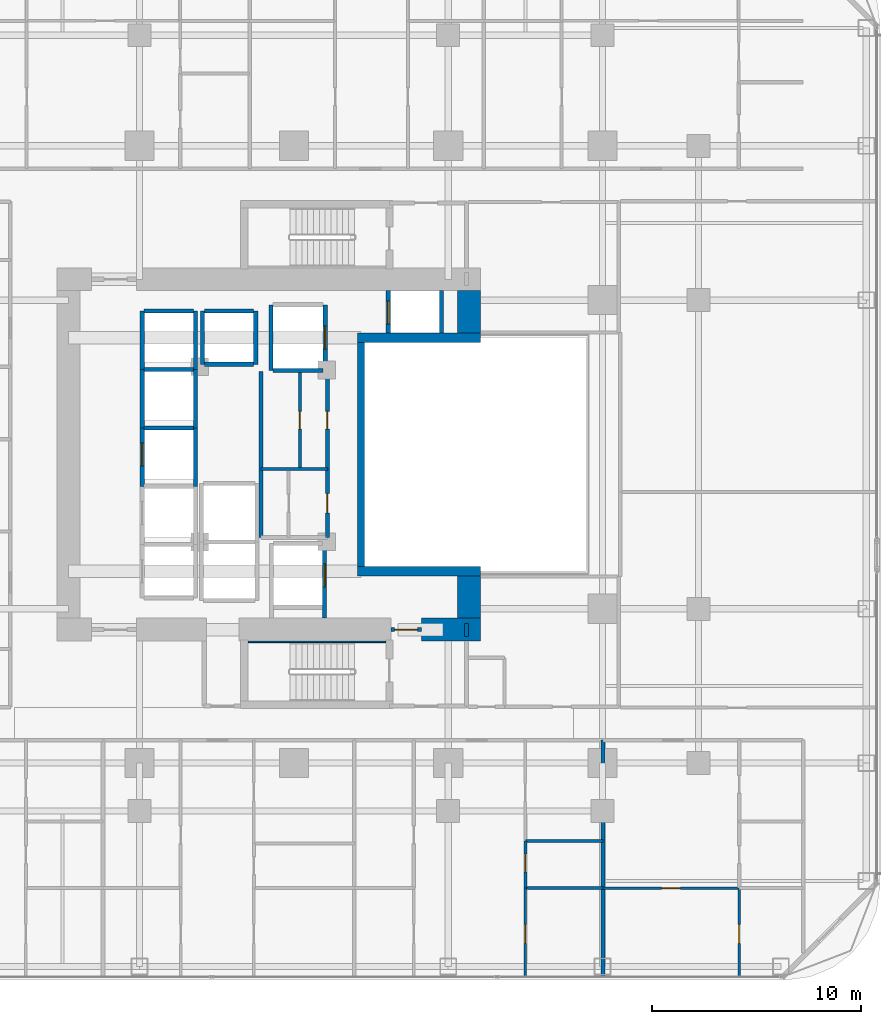
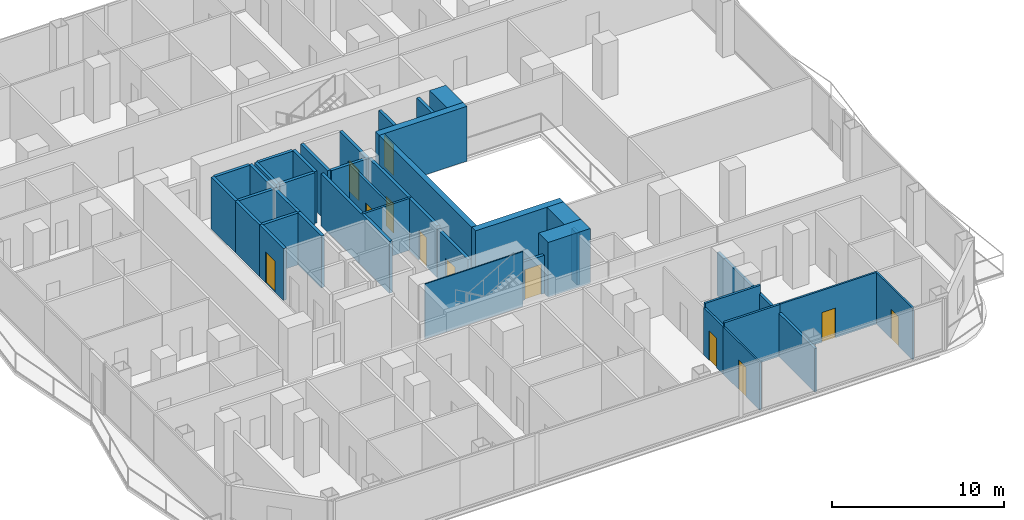
# One storey, part 22 of 28: 40 walls, 12 doors, 12 openings.
"""IFC4 building model written with IfcOpenShell, lengths in metres."""

from ifc_helpers import new_model, si_unit, direction, frame, frame_2d, origin, place, context, subcontext, project, spatial, rectangle, extrude, material, layer, layer_set, type_object, element, fill, save


model = new_model("IFC4")

# Units and contexts
model_context = context("Model", 3, precision=1e-05, world=origin(), true_north=direction((0.0, 1.0)))
body_context = subcontext(model_context, "Body", "Model", "MODEL_VIEW")
ifc_project = project(units=[si_unit("LENGTHUNIT", "METRE"), si_unit("AREAUNIT", "SQUARE_METRE"), si_unit("VOLUMEUNIT", "CUBIC_METRE"), si_unit("PLANEANGLEUNIT", "RADIAN"), si_unit("MASSUNIT", "GRAM", prefix="KILO")], contexts=[model_context])

# Site, building, storey
site_placement = place(None, origin())
site = spatial("IfcSite", under=ifc_project, at=site_placement, CompositionType="ELEMENT")
building_placement = place(site_placement, origin())
building = spatial("IfcBuilding", under=site, at=building_placement, Name="Khorvyn Point Tower", CompositionType="ELEMENT")
storey_placement = place(building_placement, frame((0.0, 0.0, 34.5)))
storey = spatial("IfcBuildingStorey", under=building, at=storey_placement, Name="L09", CompositionType="ELEMENT", Elevation=34.5)

# Walls
ifc_material_1 = material(Name="Double acoustic gypsum on twin steel stud", Category="steel")
ifc_layer_1 = layer(ifc_material_1, 0.179931640625)
ifc_layer_set_1 = layer_set([ifc_layer_1], Name="Acoustic Double-Stud Apartment Demising Wall 180")
wall_type_1 = type_object("IfcWallType", Name="Acoustic Double-Stud Apartment Demising Wall 180", PredefinedType="PARTITIONING", material=ifc_layer_set_1)
wall_1_placement = place(storey_placement, frame((14.822021484375, -25.030029296875, 0.0), z_axis=(0.0, 0.0, 1.0), x_axis=(0.0, 1.0, 0.0)))
element("IfcWall", 1, at=wall_1_placement, inside=storey, type_object=wall_type_1, Name="Wall", PredefinedType="PARTITIONING", context=body_context, shape_type="SweptSolid", body=[
    extrude(rectangle(XDim=11.330078125, YDim=0.179931640625, at=frame_2d((5.6650390625, 0.0))), origin(), (0.0, 0.0, 1.0), 3.08203125),
])
ifc_material_2 = material(Name="Concrete C40/50", Category="concrete")
ifc_layer_2 = layer(ifc_material_2, 0.449951171875)
ifc_layer_set_2 = layer_set([ifc_layer_2], Name="Concrete C40/50 Core Shear Wall 450")
wall_type_2 = type_object("IfcWallType", Name="Concrete C40/50 Core Shear Wall 450", PredefinedType="SHEAR", material=ifc_layer_set_2)
for number, where, z_axis, x_axis, name in (
    (2, (3.044921875, -5.60009765625, 0.0), (0.0, 0.0, 1.0), (1.0, 0.0, 0.0), "Wall"),
    (3, (3.044921875, 5.60009765625, 0.0), (0.0, 0.0, 1.0), (1.0, 0.0, 0.0), "Wall"),
):
    element("IfcWall", number, at=place(storey_placement, frame(where, z_axis=z_axis, x_axis=x_axis)), inside=storey, type_object=wall_type_2, Name=name, PredefinedType="SHEAR", context=body_context, shape_type="SweptSolid", body=[
        extrude(rectangle(XDim=5.905029296875, YDim=0.449951171875, at=frame_2d((2.95263671875, 0.0))), origin(), (0.0, 0.0, 1.0), 3.89990234375),
    ])

# Wall, opening, door
ifc_layer_3 = layer(ifc_material_2, 0.199951171875)
ifc_layer_set_3 = layer_set([ifc_layer_3], Name="Concrete C40/50 Fire-Lobby Compartment Wall 200")
wall_type_3 = type_object("IfcWallType", Name="Concrete C40/50 Fire-Lobby Compartment Wall 200", PredefinedType="SOLIDWALL", material=ifc_layer_set_3)
wall_2_placement = place(storey_placement, frame((4.64990234375, -8.39990234375, 0.0), z_axis=(0.0, 0.0, 1.0), x_axis=(1.0, 0.0, 0.0)))
wall_2 = element("IfcWall", 4, at=wall_2_placement, inside=storey, type_object=wall_type_3, Name="Wall", PredefinedType="SOLIDWALL", context=body_context, shape_type="SweptSolid", body=[
    extrude(rectangle(XDim=1.47021484375, YDim=0.199951171875, at=frame_2d((0.735107421875, 0.0))), origin(), (0.0, 0.0, 1.0), 2.719970703125),
])
opening_1_placement = place(wall_2_placement, frame((0.18505859375, 0.0, 0.0)))
opening_1 = element("IfcOpeningElement", 5, at=opening_1_placement, cuts=wall_2, Name="Opening ID-FL90", PredefinedType="OPENING", context=body_context, shape_type="SweptSolid", body=[
    extrude(rectangle(XDim=1.10009765625, YDim=2.14990234375, at=frame_2d((0.550048828125, 1.074951171875))), frame((0.0, 0.10986328125, 0.0), z_axis=(0.0, -1.0, 0.0), x_axis=(1.0, 0.0, 0.0)), (0.0, 0.0, 1.0), 0.219970703125),
])
ifc_material_3 = material(Name="Galvanised powder-coated steel", Category="steel")
door_type_1 = type_object("IfcDoorType", Name="Fire-Rated Steel Lobby and Stair Door 1100x2150", OperationType="NOTDEFINED", PredefinedType="DOOR", material=ifc_material_3)
door_1_placement = place(opening_1_placement, origin())
door_1 = element("IfcDoor", 6, at=door_1_placement, inside=storey, type_object=door_type_1, Name="Door", OperationType="SINGLE_SWING_RIGHT", OverallHeight=2.14990234375, OverallWidth=1.10009765625, PredefinedType="DOOR", context=body_context, shape_type="SweptSolid", body=[
    extrude(rectangle(XDim=1.10009765625, YDim=2.14990234375, at=frame_2d((0.550048828125, 1.074951171875))), frame((0.0, 0.02490234375, 0.0), z_axis=(0.0, -1.0, 0.0), x_axis=(1.0, 0.0, 0.0)), (0.0, 0.0, 1.0), 0.050048828125),
])
fill(opening_1, door_1)

wall_3_placement = place(storey_placement, frame((1.610107421875, -3.97998046875, 0.0), z_axis=(0.0, 0.0, 1.0), x_axis=(0.0, 1.0, 0.0)))
wall_3 = element("IfcWall", 7, at=wall_3_placement, inside=storey, type_object=wall_type_3, Name="Wall", PredefinedType="SOLIDWALL", context=body_context, shape_type="SweptSolid", body=[
    extrude(rectangle(XDim=3.27392578125, YDim=0.199951171875, at=frame_2d((1.636962890625, 0.0))), origin(), (0.0, 0.0, 1.0), 3.679931640625),
])
opening_2_placement = place(wall_3_placement, frame((1.177001953125, 0.0, 0.0)))
opening_2 = element("IfcOpeningElement", 8, at=opening_2_placement, cuts=wall_3, Name="Opening ID-RS60", PredefinedType="OPENING", context=body_context, shape_type="SweptSolid", body=[
    extrude(rectangle(XDim=0.919921875, YDim=2.10009765625, at=frame_2d((0.4599609375, 1.050048828125))), frame((0.0, 0.10986328125, 0.0), z_axis=(0.0, -1.0, 0.0), x_axis=(1.0, 0.0, 0.0)), (0.0, 0.0, 1.0), 0.219970703125),
])
door_type_2 = type_object("IfcDoorType", Name="Fire-Rated Riser and Store Steel Door 920x2100", OperationType="NOTDEFINED", PredefinedType="DOOR", material=ifc_material_3)
door_2_placement = place(opening_2_placement, origin())
door_2 = element("IfcDoor", 9, at=door_2_placement, inside=storey, type_object=door_type_2, Name="Door", OperationType="SINGLE_SWING_LEFT", OverallHeight=2.10009765625, OverallWidth=0.919921875, PredefinedType="DOOR", context=body_context, shape_type="SweptSolid", body=[
    extrude(rectangle(XDim=0.919921875, YDim=2.10009765625, at=frame_2d((0.4599609375, 1.050048828125))), frame((0.0, 0.02490234375, 0.0), z_axis=(0.0, -1.0, 0.0), x_axis=(1.0, 0.0, 0.0)), (0.0, 0.0, 1.0), 0.050048828125),
])
fill(opening_2, door_2)

wall_4_placement = place(storey_placement, frame((1.610107421875, -0.7060546875, 0.0), z_axis=(0.0, 0.0, 1.0), x_axis=(0.0, 1.0, 0.0)))
wall_4 = element("IfcWall", 10, at=wall_4_placement, inside=storey, type_object=wall_type_3, Name="Wall", PredefinedType="SOLIDWALL", context=body_context, shape_type="SweptSolid", body=[
    extrude(rectangle(XDim=4.68603515625, YDim=0.199951171875, at=frame_2d((2.343017578125, 0.0))), origin(), (0.0, 0.0, 1.0), 3.679931640625),
])
opening_3_placement = place(wall_4_placement, frame((1.91796875, 0.0, 0.0)))
opening_3 = element("IfcOpeningElement", 11, at=opening_3_placement, cuts=wall_4, Name="Opening ID-WC85", PredefinedType="OPENING", context=body_context, shape_type="SweptSolid", body=[
    extrude(rectangle(XDim=0.85009765625, YDim=2.10009765625, at=frame_2d((0.425048828125, 1.050048828125))), frame((0.0, 0.10986328125, 0.0), z_axis=(0.0, -1.0, 0.0), x_axis=(1.0, 0.0, 0.0)), (0.0, 0.0, 1.0), 0.219970703125),
])
ifc_material_4 = material(Name="High-pressure laminate on moisture-resistant core", Category="wood")
door_type_3 = type_object("IfcDoorType", Name="Moisture-Resistant Accessible Washroom Door 850x2100", OperationType="NOTDEFINED", PredefinedType="DOOR", material=ifc_material_4)
door_3_placement = place(opening_3_placement, origin())
door_3 = element("IfcDoor", 12, at=door_3_placement, inside=storey, type_object=door_type_3, Name="Door", OperationType="SINGLE_SWING_RIGHT", OverallHeight=2.10009765625, OverallWidth=0.85009765625, PredefinedType="DOOR", context=body_context, shape_type="SweptSolid", body=[
    extrude(rectangle(XDim=0.85009765625, YDim=2.10009765625, at=frame_2d((0.425048828125, 1.050048828125))), frame((0.0, 0.02490234375, 0.0), z_axis=(0.0, -1.0, 0.0), x_axis=(1.0, 0.0, 0.0)), (0.0, 0.0, 1.0), 0.050048828125),
])
fill(opening_3, door_3)

# Walls
wall_5_placement = place(storey_placement, frame((-1.580078125, -3.97998046875, 0.0), z_axis=(0.0, 0.0, 1.0), x_axis=(0.0, 1.0, 0.0)))
element("IfcWall", 13, at=wall_5_placement, inside=storey, type_object=wall_type_3, Name="Wall", PredefinedType="SOLIDWALL", context=body_context, shape_type="SweptSolid", body=[
    extrude(rectangle(XDim=7.9599609375, YDim=0.199951171875, at=frame_2d((3.97998046875, 0.0))), origin(), (0.0, 0.0, 1.0), 3.679931640625),
])
wall_6_placement = place(storey_placement, frame((8.280029296875, -8.72509765625, 0.0), z_axis=(0.0, 0.0, 1.0), x_axis=(0.0, 1.0, 0.0)))
element("IfcWall", 14, at=wall_6_placement, inside=storey, type_object=wall_type_3, Name="Wall", PredefinedType="SOLIDWALL", context=body_context, shape_type="SweptSolid", body=[
    extrude(rectangle(XDim=0.625, YDim=0.199951171875, at=frame_2d((0.3125, 0.0))), origin(), (0.0, 0.0, 1.0), 3.679931640625),
])
ifc_layer_4 = layer(ifc_material_2, 0.25)
ifc_layer_set_4 = layer_set([ifc_layer_4], Name="Concrete C40/50 Stair Inner Cheek Structural Wall 250")
wall_type_4 = type_object("IfcWallType", Name="Concrete C40/50 Stair Inner Cheek Structural Wall 250", PredefinedType="SHEAR", material=ifc_layer_set_4)
wall_7_placement = place(storey_placement, frame((-2.199951171875, -8.987548828125, 0.0), z_axis=(0.0, 0.0, 1.0), x_axis=(1.0, 0.0, 0.0)))
element("IfcWall", 15, at=wall_7_placement, inside=storey, type_object=wall_type_4, Name="Wall", PredefinedType="SHEAR", context=body_context, shape_type="SweptSolid", body=[
    extrude(rectangle(XDim=6.599853515625, YDim=0.074951171875, at=frame_2d((3.2998046875, 0.0))), origin(), (0.0, 0.0, 1.0), 3.89990234375),
])
ifc_layer_5 = layer(ifc_material_2, 0.35009765625)
ifc_layer_set_5 = layer_set([ifc_layer_5], Name="Concrete C40/50 Stair Shaft Structural Wall 350")
wall_type_5 = type_object("IfcWallType", Name="Concrete C40/50 Stair Shaft Structural Wall 350", PredefinedType="SHEAR", material=ifc_layer_set_5)
wall_8_placement = place(storey_placement, frame((3.219970703125, -5.375, 0.0), z_axis=(0.0, 0.0, 1.0), x_axis=(0.0, 1.0, 0.0)))
element("IfcWall", 16, at=wall_8_placement, inside=storey, type_object=wall_type_5, Name="Wall", PredefinedType="SHEAR", context=body_context, shape_type="SweptSolid", body=[
    extrude(rectangle(XDim=10.75, YDim=0.35009765625, at=frame_2d((5.375, 0.0))), origin(), (0.0, 0.0, 1.0), 3.89990234375),
])

# Wall, opening, door
ifc_layer_6 = layer(ifc_material_2, 0.199951171875)
ifc_layer_set_6 = layer_set([ifc_layer_6], Name="Concrete C40/50 Structural Hoistway and Stair Shaft Wall 200")
wall_type_6 = type_object("IfcWallType", Name="Concrete C40/50 Structural Hoistway and Stair Shaft Wall 200", PredefinedType="SHEAR", material=ifc_layer_set_6)
wall_9_placement = place(storey_placement, frame((-7.27490234375, -1.52490234375, 0.0), z_axis=(0.0, 0.0, 1.0), x_axis=(0.0, 1.0, 0.0)))
wall_9 = element("IfcWall", 17, at=wall_9_placement, inside=storey, type_object=wall_type_6, Name="Wall", PredefinedType="SHEAR", context=body_context, shape_type="SweptSolid", body=[
    extrude(rectangle(XDim=2.7998046875, YDim=0.199951171875, at=frame_2d((1.39990234375, 0.0))), origin(), (0.0, 0.0, 1.0), 3.679931640625),
])
opening_4_placement = place(wall_9_placement, frame((0.97509765625, 0.0, 0.0)))
opening_4 = element("IfcOpeningElement", 18, at=opening_4_placement, cuts=wall_9, Name="Opening LD-1122", PredefinedType="OPENING", context=body_context, shape_type="SweptSolid", body=[
    extrude(rectangle(XDim=1.10009765625, YDim=2.199951171875, at=frame_2d((0.550048828125, 1.10009765625))), frame((0.0, 0.10986328125, 0.0), z_axis=(0.0, -1.0, 0.0), x_axis=(1.0, 0.0, 0.0)), (0.0, 0.0, 1.0), 0.219970703125),
])
ifc_material_5 = material(Name="Stainless steel 1.4301", Category="steel")
door_type_4 = type_object("IfcDoorType", Name="Stainless Steel Automatic Sliding Lift Landing Door 1100x2200", OperationType="SLIDING_TO_LEFT", PredefinedType="DOOR", material=ifc_material_5)
door_4_placement = place(opening_4_placement, origin())
door_4 = element("IfcDoor", 19, at=door_4_placement, inside=storey, type_object=door_type_4, Name="L09 RL-03 Sliding Lift Landing Door", OperationType="SLIDING_TO_LEFT", OverallHeight=2.199951171875, OverallWidth=1.10009765625, PredefinedType="DOOR", context=body_context, shape_type="SweptSolid", body=[
    extrude(rectangle(XDim=1.10009765625, YDim=2.199951171875, at=frame_2d((0.550048828125, 1.10009765625))), frame((0.0, 0.02490234375, 0.0), z_axis=(0.0, -1.0, 0.0), x_axis=(1.0, 0.0, 0.0)), (0.0, 0.0, 1.0), 0.050048828125),
])
fill(opening_4, door_4)

# Walls
wall_10_placement = place(storey_placement, frame((-4.72509765625, -1.52490234375, 0.0), z_axis=(0.0, 0.0, 1.0), x_axis=(0.0, 1.0, 0.0)))
element("IfcWall", 20, at=wall_10_placement, inside=storey, type_object=wall_type_6, Name="Wall", PredefinedType="SHEAR", context=body_context, shape_type="SweptSolid", body=[
    extrude(rectangle(XDim=2.7998046875, YDim=0.199951171875, at=frame_2d((1.39990234375, 0.0))), origin(), (0.0, 0.0, 1.0), 3.679931640625),
])
wall_11_placement = place(storey_placement, frame((-7.175048828125, 1.27490234375, 0.0), z_axis=(0.0, 0.0, 1.0), x_axis=(1.0, 0.0, 0.0)))
element("IfcWall", 21, at=wall_11_placement, inside=storey, type_object=wall_type_6, Name="Wall", PredefinedType="SHEAR", context=body_context, shape_type="SweptSolid", body=[
    extrude(rectangle(XDim=2.35009765625, YDim=0.199951171875, at=frame_2d((1.175048828125, 0.0))), origin(), (0.0, 0.0, 1.0), 3.679931640625),
])
for number, where, z_axis, x_axis, name in (
    (22, (-7.27490234375, 1.27490234375, 0.0), (0.0, 0.0, 1.0), (0.0, 1.0, 0.0), "Wall"),
    (23, (-4.72509765625, 1.27490234375, 0.0), (0.0, 0.0, 1.0), (0.0, 1.0, 0.0), "Wall"),
):
    element("IfcWall", number, at=place(storey_placement, frame(where, z_axis=z_axis, x_axis=x_axis)), inside=storey, type_object=wall_type_6, Name=name, PredefinedType="SHEAR", context=body_context, shape_type="SweptSolid", body=[
        extrude(rectangle(XDim=2.800048828125, YDim=0.199951171875, at=frame_2d((1.39990234375, 0.0))), origin(), (0.0, 0.0, 1.0), 3.679931640625),
    ])
wall_12_placement = place(storey_placement, frame((-7.175048828125, 4.074951171875, 0.0), z_axis=(0.0, 0.0, 1.0), x_axis=(1.0, 0.0, 0.0)))
element("IfcWall", 24, at=wall_12_placement, inside=storey, type_object=wall_type_6, Name="Wall", PredefinedType="SHEAR", context=body_context, shape_type="SweptSolid", body=[
    extrude(rectangle(XDim=2.35009765625, YDim=0.199951171875, at=frame_2d((1.175048828125, 0.0))), origin(), (0.0, 0.0, 1.0), 3.679931640625),
])
for number, where, z_axis, x_axis, name in (
    (25, (-7.27490234375, 4.074951171875, 0.0), (0.0, 0.0, 1.0), (0.0, 1.0, 0.0), "Wall"),
    (26, (-4.72509765625, 4.074951171875, 0.0), (0.0, 0.0, 1.0), (0.0, 1.0, 0.0), "Wall"),
):
    element("IfcWall", number, at=place(storey_placement, frame(where, z_axis=z_axis, x_axis=x_axis)), inside=storey, type_object=wall_type_6, Name=name, PredefinedType="SHEAR", context=body_context, shape_type="SweptSolid", body=[
        extrude(rectangle(XDim=2.800048828125, YDim=0.199951171875, at=frame_2d((1.39990234375, 0.0))), origin(), (0.0, 0.0, 1.0), 3.679931640625),
    ])
wall_13_placement = place(storey_placement, frame((-7.175048828125, 6.875, 0.0), z_axis=(0.0, 0.0, 1.0), x_axis=(1.0, 0.0, 0.0)))
element("IfcWall", 27, at=wall_13_placement, inside=storey, type_object=wall_type_6, Name="Wall", PredefinedType="SHEAR", context=body_context, shape_type="SweptSolid", body=[
    extrude(rectangle(XDim=2.35009765625, YDim=0.199951171875, at=frame_2d((1.175048828125, 0.0))), origin(), (0.0, 0.0, 1.0), 3.679931640625),
])
for number, where, z_axis, x_axis, name in (
    (28, (-4.375, 4.324951171875, 0.0), (0.0, 0.0, 1.0), (0.0, 1.0, 0.0), "Wall"),
    (29, (-1.824951171875, 4.324951171875, 0.0), (0.0, 0.0, 1.0), (0.0, 1.0, 0.0), "Wall"),
):
    element("IfcWall", number, at=place(storey_placement, frame(where, z_axis=z_axis, x_axis=x_axis)), inside=storey, type_object=wall_type_6, Name=name, PredefinedType="SHEAR", context=body_context, shape_type="SweptSolid", body=[
        extrude(rectangle(XDim=2.550048828125, YDim=0.199951171875, at=frame_2d((1.27490234375, 0.0))), origin(), (0.0, 0.0, 1.0), 3.679931640625),
    ])
for number, where, z_axis, x_axis, name in (
    (30, (-4.27490234375, 4.324951171875, 0.0), (0.0, 0.0, 1.0), (1.0, 0.0, 0.0), "Wall"),
    (31, (-4.27490234375, 6.875, 0.0), (0.0, 0.0, 1.0), (1.0, 0.0, 0.0), "Wall"),
):
    element("IfcWall", number, at=place(storey_placement, frame(where, z_axis=z_axis, x_axis=x_axis)), inside=storey, type_object=wall_type_6, Name=name, PredefinedType="SHEAR", context=body_context, shape_type="SweptSolid", body=[
        extrude(rectangle(XDim=2.349853515625, YDim=0.199951171875, at=frame_2d((1.1748046875, 0.0))), origin(), (0.0, 0.0, 1.0), 3.679931640625),
    ])
wall_14_placement = place(storey_placement, frame((-1.10009765625, 4.02490234375, 0.0), z_axis=(0.0, 0.0, 1.0), x_axis=(0.0, 1.0, 0.0)))
element("IfcWall", 32, at=wall_14_placement, inside=storey, type_object=wall_type_6, Name="Wall", PredefinedType="SHEAR", context=body_context, shape_type="SweptSolid", body=[
    extrude(rectangle(XDim=3.150146484375, YDim=0.199951171875, at=frame_2d((1.5751953125, 0.0))), origin(), (0.0, 0.0, 1.0), 3.679931640625),
])

# Wall, opening, door
wall_15_placement = place(storey_placement, frame((1.5, 4.02490234375, 0.0), z_axis=(0.0, 0.0, 1.0), x_axis=(0.0, 1.0, 0.0)))
wall_15 = element("IfcWall", 33, at=wall_15_placement, inside=storey, type_object=wall_type_6, Name="Wall", PredefinedType="SHEAR", context=body_context, shape_type="SweptSolid", body=[
    extrude(rectangle(XDim=3.150146484375, YDim=0.199951171875, at=frame_2d((1.5751953125, 0.0))), origin(), (0.0, 0.0, 1.0), 3.679931640625),
])
opening_5_placement = place(wall_15_placement, frame((1.02490234375, 0.0, 0.0)))
opening_5 = element("IfcOpeningElement", 34, at=opening_5_placement, cuts=wall_15, Name="Opening LD-1122", PredefinedType="OPENING", context=body_context, shape_type="SweptSolid", body=[
    extrude(rectangle(XDim=1.10009765625, YDim=2.199951171875, at=frame_2d((0.550048828125, 1.10009765625))), frame((0.0, 0.10986328125, 0.0), z_axis=(0.0, -1.0, 0.0), x_axis=(1.0, 0.0, 0.0)), (0.0, 0.0, 1.0), 0.219970703125),
])
door_5_placement = place(opening_5_placement, origin())
door_5 = element("IfcDoor", 35, at=door_5_placement, inside=storey, type_object=door_type_4, Name="L09 SV-01 Sliding Lift Landing Door", OperationType="SLIDING_TO_LEFT", OverallHeight=2.199951171875, OverallWidth=1.10009765625, PredefinedType="DOOR", context=body_context, shape_type="SweptSolid", body=[
    extrude(rectangle(XDim=1.10009765625, YDim=2.199951171875, at=frame_2d((0.550048828125, 1.10009765625))), frame((0.0, 0.02490234375, 0.0), z_axis=(0.0, -1.0, 0.0), x_axis=(1.0, 0.0, 0.0)), (0.0, 0.0, 1.0), 0.050048828125),
])
fill(opening_5, door_5)

# Wall
wall_16_placement = place(storey_placement, frame((-1.0, 4.02490234375, 0.0), z_axis=(0.0, 0.0, 1.0), x_axis=(1.0, 0.0, 0.0)))
element("IfcWall", 36, at=wall_16_placement, inside=storey, type_object=wall_type_6, Name="Wall", PredefinedType="SHEAR", context=body_context, shape_type="SweptSolid", body=[
    extrude(rectangle(XDim=2.39990234375, YDim=0.199951171875, at=frame_2d((1.199951171875, 0.0))), origin(), (0.0, 0.0, 1.0), 3.679931640625),
])

# Wall, opening, door
wall_17_placement = place(storey_placement, frame((1.47509765625, -7.85009765625, 0.0), z_axis=(0.0, 0.0, 1.0), x_axis=(0.0, 1.0, 0.0)))
wall_17 = element("IfcWall", 37, at=wall_17_placement, inside=storey, type_object=wall_type_6, Name="Wall", PredefinedType="SHEAR", context=body_context, shape_type="SweptSolid", body=[
    extrude(rectangle(XDim=3.5751953125, YDim=0.199951171875, at=frame_2d((1.78759765625, 0.0))), origin(), (0.0, 0.0, 1.0), 3.679931640625),
])
opening_6_placement = place(wall_17_placement, frame((1.5, 0.0, 0.0)))
opening_6 = element("IfcOpeningElement", 38, at=opening_6_placement, cuts=wall_17, Name="Opening LD-1122", PredefinedType="OPENING", context=body_context, shape_type="SweptSolid", body=[
    extrude(rectangle(XDim=1.10009765625, YDim=2.199951171875, at=frame_2d((0.550048828125, 1.10009765625))), frame((0.0, 0.10986328125, 0.0), z_axis=(0.0, -1.0, 0.0), x_axis=(1.0, 0.0, 0.0)), (0.0, 0.0, 1.0), 0.219970703125),
])
door_6_placement = place(opening_6_placement, origin())
door_6 = element("IfcDoor", 39, at=door_6_placement, inside=storey, type_object=door_type_4, Name="L09 FF-01 Sliding Lift Landing Door", OperationType="SLIDING_TO_LEFT", OverallHeight=2.199951171875, OverallWidth=1.10009765625, PredefinedType="DOOR", context=body_context, shape_type="SweptSolid", body=[
    extrude(rectangle(XDim=1.10009765625, YDim=2.199951171875, at=frame_2d((0.550048828125, 1.10009765625))), frame((0.0, 0.02490234375, 0.0), z_axis=(0.0, -1.0, 0.0), x_axis=(1.0, 0.0, 0.0)), (0.0, 0.0, 1.0), 0.050048828125),
])
fill(opening_6, door_6)

wall_18_placement = place(storey_placement, frame((4.52490234375, 5.824951171875, 0.0), z_axis=(0.0, 0.0, 1.0), x_axis=(0.0, 1.0, 0.0)))
wall_18 = element("IfcWall", 40, at=wall_18_placement, inside=storey, type_object=wall_type_6, Name="Wall", PredefinedType="SHEAR", context=body_context, shape_type="SweptSolid", body=[
    extrude(rectangle(XDim=2.025146484375, YDim=0.199951171875, at=frame_2d((1.0126953125, 0.0))), origin(), (0.0, 0.0, 1.0), 3.679931640625),
])
opening_7_placement = place(wall_18_placement, frame((0.425048828125, 0.0, 0.0)))
opening_7 = element("IfcOpeningElement", 41, at=opening_7_placement, cuts=wall_18, Name="Opening LD-1122", PredefinedType="OPENING", context=body_context, shape_type="SweptSolid", body=[
    extrude(rectangle(XDim=1.10009765625, YDim=2.199951171875, at=frame_2d((0.550048828125, 1.10009765625))), frame((0.0, 0.10986328125, 0.0), z_axis=(0.0, -1.0, 0.0), x_axis=(1.0, 0.0, 0.0)), (0.0, 0.0, 1.0), 0.219970703125),
])
door_7_placement = place(opening_7_placement, origin())
door_7 = element("IfcDoor", 42, at=door_7_placement, inside=storey, type_object=door_type_4, Name="L09 FF-02 Sliding Lift Landing Door", OperationType="SLIDING_TO_LEFT", OverallHeight=2.199951171875, OverallWidth=1.10009765625, PredefinedType="DOOR", context=body_context, shape_type="SweptSolid", body=[
    extrude(rectangle(XDim=1.10009765625, YDim=2.199951171875, at=frame_2d((0.550048828125, 1.10009765625))), frame((0.0, 0.02490234375, 0.0), z_axis=(0.0, -1.0, 0.0), x_axis=(1.0, 0.0, 0.0)), (0.0, 0.0, 1.0), 0.050048828125),
])
fill(opening_7, door_7)

# Walls
wall_19_placement = place(storey_placement, frame((7.074951171875, 5.824951171875, 0.0), z_axis=(0.0, 0.0, 1.0), x_axis=(0.0, 1.0, 0.0)))
element("IfcWall", 43, at=wall_19_placement, inside=storey, type_object=wall_type_6, Name="Wall", PredefinedType="SHEAR", context=body_context, shape_type="SweptSolid", body=[
    extrude(rectangle(XDim=2.025146484375, YDim=0.199951171875, at=frame_2d((1.0126953125, 0.0))), origin(), (0.0, 0.0, 1.0), 3.679931640625),
])
ifc_material_6 = material(Name="Concrete C50/60", Category="concrete")
ifc_layer_7 = layer(ifc_material_6, 1.10009765625)
ifc_layer_set_7 = layer_set([ifc_layer_7], Name="Concrete C50/60 Core Shear Wall 1100")
wall_type_7 = type_object("IfcWallType", Name="Concrete C50/60 Core Shear Wall 1100", PredefinedType="SHEAR", material=ifc_layer_set_7)
wall_20_placement = place(storey_placement, frame((6.1201171875, -8.39990234375, 0.0), z_axis=(0.0, 0.0, 1.0), x_axis=(1.0, 0.0, 0.0)))
element("IfcWall", 44, at=wall_20_placement, inside=storey, type_object=wall_type_7, Name="Wall", PredefinedType="SHEAR", context=body_context, shape_type="SweptSolid", body=[
    extrude(rectangle(XDim=2.829833984375, YDim=1.10009765625, at=frame_2d((1.4150390625, 0.0))), origin(), (0.0, 0.0, 1.0), 3.89990234375),
])
for number, where, z_axis, x_axis, name in (
    (45, (8.39990234375, -7.85009765625, 0.0), (0.0, 0.0, 1.0), (0.0, 1.0, 0.0), "Wall"),
    (46, (8.39990234375, 5.824951171875, 0.0), (0.0, 0.0, 1.0), (0.0, 1.0, 0.0), "Wall"),
):
    element("IfcWall", number, at=place(storey_placement, frame(where, z_axis=z_axis, x_axis=x_axis)), inside=storey, type_object=wall_type_7, Name=name, PredefinedType="SHEAR", context=body_context, shape_type="SweptSolid", body=[
        extrude(rectangle(XDim=2.025146484375, YDim=1.10009765625, at=frame_2d((1.0126953125, 0.0))), origin(), (0.0, 0.0, 1.0), 3.89990234375),
    ])

# Wall, opening, door
ifc_material_7 = material(Name="Gypsum plasterboard on steel stud", Category="steel")
ifc_layer_8 = layer(ifc_material_7, 0.1201171875)
ifc_layer_set_8 = layer_set([ifc_layer_8], Name="Gypsum Acoustic Stud Room Partition Wall 120")
wall_type_8 = type_object("IfcWallType", Name="Gypsum Acoustic Stud Room Partition Wall 120", PredefinedType="PARTITIONING", material=ifc_layer_set_8)
wall_21_placement = place(storey_placement, frame((11.10205078125, -25.030029296875, 0.0), z_axis=(0.0, 0.0, 1.0), x_axis=(0.0, 1.0, 0.0)))
wall_21 = element("IfcWall", 47, at=wall_21_placement, inside=storey, type_object=wall_type_8, Name="Wall", PredefinedType="PARTITIONING", context=body_context, shape_type="SweptSolid", body=[
    extrude(rectangle(XDim=4.239990234375, YDim=0.1201171875, at=frame_2d((2.1201171875, 0.0))), origin(), (0.0, 0.0, 1.0), 3.3701171875),
])
opening_8_placement = place(wall_21_placement, frame((1.581298828125, 0.0, 0.0)))
opening_8 = element("IfcOpeningElement", 48, at=opening_8_placement, cuts=wall_21, Name="Opening ID-RM90", PredefinedType="OPENING", context=body_context, shape_type="SweptSolid", body=[
    extrude(rectangle(XDim=0.89990234375, YDim=2.10009765625, at=frame_2d((0.449951171875, 1.050048828125))), frame((0.0, 0.070068359375, 0.0), z_axis=(0.0, -1.0, 0.0), x_axis=(1.0, 0.0, 0.0)), (0.0, 0.0, 1.0), 0.14013671875),
])
ifc_material_8 = material(Name="Engineered oak veneer timber", Category="wood")
door_type_5 = type_object("IfcDoorType", Name="Flush Engineered Timber Room Door 900x2100", OperationType="NOTDEFINED", PredefinedType="DOOR", material=ifc_material_8)
door_8_placement = place(opening_8_placement, origin())
door_8 = element("IfcDoor", 49, at=door_8_placement, inside=storey, type_object=door_type_5, Name="Door", OperationType="SINGLE_SWING_RIGHT", OverallHeight=2.10009765625, OverallWidth=0.89990234375, PredefinedType="DOOR", context=body_context, shape_type="SweptSolid", body=[
    extrude(rectangle(XDim=0.89990234375, YDim=2.10009765625, at=frame_2d((0.449951171875, 1.050048828125))), frame((0.0, 0.02490234375, 0.0), z_axis=(0.0, -1.0, 0.0), x_axis=(1.0, 0.0, 0.0)), (0.0, 0.0, 1.0), 0.050048828125),
])
fill(opening_8, door_8)

wall_22_placement = place(storey_placement, frame((14.822021484375, -20.7900390625, 0.0), z_axis=(0.0, 0.0, 1.0), x_axis=(1.0, 0.0, 0.0)))
wall_22 = element("IfcWall", 50, at=wall_22_placement, inside=storey, type_object=wall_type_8, Name="Wall", PredefinedType="PARTITIONING", context=body_context, shape_type="SweptSolid", body=[
    extrude(rectangle(XDim=6.532958984375, YDim=0.1201171875, at=frame_2d((3.2666015625, 0.0))), origin(), (0.0, 0.0, 1.0), 3.679931640625),
])
opening_9_placement = place(wall_22_placement, frame((2.81640625, 0.0, 0.0)))
opening_9 = element("IfcOpeningElement", 51, at=opening_9_placement, cuts=wall_22, Name="Opening ID-RM90", PredefinedType="OPENING", context=body_context, shape_type="SweptSolid", body=[
    extrude(rectangle(XDim=0.89990234375, YDim=2.10009765625, at=frame_2d((0.449951171875, 1.050048828125))), frame((0.0, 0.070068359375, 0.0), z_axis=(0.0, -1.0, 0.0), x_axis=(1.0, 0.0, 0.0)), (0.0, 0.0, 1.0), 0.14013671875),
])
door_9_placement = place(opening_9_placement, origin())
door_9 = element("IfcDoor", 52, at=door_9_placement, inside=storey, type_object=door_type_5, Name="Door", OperationType="SINGLE_SWING_RIGHT", OverallHeight=2.10009765625, OverallWidth=0.89990234375, PredefinedType="DOOR", context=body_context, shape_type="SweptSolid", body=[
    extrude(rectangle(XDim=0.89990234375, YDim=2.10009765625, at=frame_2d((0.449951171875, 1.050048828125))), frame((0.0, 0.02490234375, 0.0), z_axis=(0.0, -1.0, 0.0), x_axis=(1.0, 0.0, 0.0)), (0.0, 0.0, 1.0), 0.050048828125),
])
fill(opening_9, door_9)

wall_23_placement = place(storey_placement, frame((21.35498046875, -25.030029296875, 0.0), z_axis=(0.0, 0.0, 1.0), x_axis=(0.0, 1.0, 0.0)))
wall_23 = element("IfcWall", 53, at=wall_23_placement, inside=storey, type_object=wall_type_8, Name="Wall", PredefinedType="PARTITIONING", context=body_context, shape_type="SweptSolid", body=[
    extrude(rectangle(XDim=4.239990234375, YDim=0.1201171875, at=frame_2d((2.1201171875, 0.0))), origin(), (0.0, 0.0, 1.0), 3.679931640625),
])
opening_10_placement = place(wall_23_placement, frame((1.581298828125, 0.0, 0.0)))
opening_10 = element("IfcOpeningElement", 54, at=opening_10_placement, cuts=wall_23, Name="Opening ID-RM90", PredefinedType="OPENING", context=body_context, shape_type="SweptSolid", body=[
    extrude(rectangle(XDim=0.89990234375, YDim=2.10009765625, at=frame_2d((0.449951171875, 1.050048828125))), frame((0.0, 0.070068359375, 0.0), z_axis=(0.0, -1.0, 0.0), x_axis=(1.0, 0.0, 0.0)), (0.0, 0.0, 1.0), 0.14013671875),
])
door_10_placement = place(opening_10_placement, origin())
door_10 = element("IfcDoor", 55, at=door_10_placement, inside=storey, type_object=door_type_5, Name="Door", OperationType="SINGLE_SWING_LEFT", OverallHeight=2.10009765625, OverallWidth=0.89990234375, PredefinedType="DOOR", context=body_context, shape_type="SweptSolid", body=[
    extrude(rectangle(XDim=0.89990234375, YDim=2.10009765625, at=frame_2d((0.449951171875, 1.050048828125))), frame((0.0, 0.02490234375, 0.0), z_axis=(0.0, -1.0, 0.0), x_axis=(1.0, 0.0, 0.0)), (0.0, 0.0, 1.0), 0.050048828125),
])
fill(opening_10, door_10)

ifc_material_9 = material(Name="Moisture-resistant gypsum and cement board", Category="gypsum")
ifc_layer_9 = layer(ifc_material_9, 0.14990234375)
ifc_layer_set_9 = layer_set([ifc_layer_9], Name="Moisture-Resistant Wet-Room Partition Wall 150")
wall_type_9 = type_object("IfcWallType", Name="Moisture-Resistant Wet-Room Partition Wall 150", PredefinedType="PARTITIONING", material=ifc_layer_set_9)
wall_24_placement = place(storey_placement, frame((0.2900390625, -0.7060546875, 0.0), z_axis=(0.0, 0.0, 1.0), x_axis=(0.0, 1.0, 0.0)))
wall_24 = element("IfcWall", 56, at=wall_24_placement, inside=storey, type_object=wall_type_9, Name="Wall", PredefinedType="PARTITIONING", context=body_context, shape_type="SweptSolid", body=[
    extrude(rectangle(XDim=4.68603515625, YDim=0.14990234375, at=frame_2d((2.343017578125, 0.0))), origin(), (0.0, 0.0, 1.0), 3.679931640625),
])
opening_11_placement = place(wall_24_placement, frame((1.91796875, 0.0, 0.0)))
opening_11 = element("IfcOpeningElement", 57, at=opening_11_placement, cuts=wall_24, Name="Opening ID-WC85", PredefinedType="OPENING", context=body_context, shape_type="SweptSolid", body=[
    extrude(rectangle(XDim=0.85009765625, YDim=2.10009765625, at=frame_2d((0.425048828125, 1.050048828125))), frame((0.0, 0.0849609375, 0.0), z_axis=(0.0, -1.0, 0.0), x_axis=(1.0, 0.0, 0.0)), (0.0, 0.0, 1.0), 0.169921875),
])
door_11_placement = place(opening_11_placement, origin())
door_11 = element("IfcDoor", 58, at=door_11_placement, inside=storey, type_object=door_type_3, Name="Door", OperationType="SINGLE_SWING_RIGHT", OverallHeight=2.10009765625, OverallWidth=0.85009765625, PredefinedType="DOOR", context=body_context, shape_type="SweptSolid", body=[
    extrude(rectangle(XDim=0.85009765625, YDim=2.10009765625, at=frame_2d((0.425048828125, 1.050048828125))), frame((0.0, 0.02490234375, 0.0), z_axis=(0.0, -1.0, 0.0), x_axis=(1.0, 0.0, 0.0)), (0.0, 0.0, 1.0), 0.050048828125),
])
fill(opening_11, door_11)

wall_25_placement = place(storey_placement, frame((11.10205078125, -20.7900390625, 0.0), z_axis=(0.0, 0.0, 1.0), x_axis=(0.0, 1.0, 0.0)))
wall_25 = element("IfcWall", 59, at=wall_25_placement, inside=storey, type_object=wall_type_9, Name="Wall", PredefinedType="PARTITIONING", context=body_context, shape_type="SweptSolid", body=[
    extrude(rectangle(XDim=2.255126953125, YDim=0.14990234375, at=frame_2d((1.12744140625, 0.0))), origin(), (0.0, 0.0, 1.0), 3.3701171875),
])
opening_12_placement = place(wall_25_placement, frame((0.780029296875, 0.0, 0.0)))
opening_12 = element("IfcOpeningElement", 60, at=opening_12_placement, cuts=wall_25, Name="Opening ID-WC85", PredefinedType="OPENING", context=body_context, shape_type="SweptSolid", body=[
    extrude(rectangle(XDim=0.85009765625, YDim=2.10009765625, at=frame_2d((0.425048828125, 1.050048828125))), frame((0.0, 0.0849609375, 0.0), z_axis=(0.0, -1.0, 0.0), x_axis=(1.0, 0.0, 0.0)), (0.0, 0.0, 1.0), 0.169921875),
])
door_12_placement = place(opening_12_placement, origin())
door_12 = element("IfcDoor", 61, at=door_12_placement, inside=storey, type_object=door_type_3, Name="Door", OperationType="SINGLE_SWING_RIGHT", OverallHeight=2.10009765625, OverallWidth=0.85009765625, PredefinedType="DOOR", context=body_context, shape_type="SweptSolid", body=[
    extrude(rectangle(XDim=0.85009765625, YDim=2.10009765625, at=frame_2d((0.425048828125, 1.050048828125))), frame((0.0, 0.02490234375, 0.0), z_axis=(0.0, -1.0, 0.0), x_axis=(1.0, 0.0, 0.0)), (0.0, 0.0, 1.0), 0.050048828125),
])
fill(opening_12, door_12)

# Walls
wall_26_placement = place(storey_placement, frame((-1.580078125, -0.7060546875, 0.0), z_axis=(0.0, 0.0, 1.0), x_axis=(1.0, 0.0, 0.0)))
element("IfcWall", 62, at=wall_26_placement, inside=storey, type_object=wall_type_9, Name="Wall", PredefinedType="PARTITIONING", context=body_context, shape_type="SweptSolid", body=[
    extrude(rectangle(XDim=3.190185546875, YDim=0.14990234375, at=frame_2d((1.59521484375, 0.0))), origin(), (0.0, 0.0, 1.0), 3.679931640625),
])
for number, where, z_axis, x_axis, name in (
    (63, (11.10205078125, -18.534912109375, 0.0), (0.0, 0.0, 1.0), (1.0, 0.0, 0.0), "Wall"),
    (64, (11.10205078125, -20.7900390625, 0.0), (0.0, 0.0, 1.0), (1.0, 0.0, 0.0), "Wall"),
):
    element("IfcWall", number, at=place(storey_placement, frame(where, z_axis=z_axis, x_axis=x_axis)), inside=storey, type_object=wall_type_9, Name=name, PredefinedType="PARTITIONING", context=body_context, shape_type="SweptSolid", body=[
        extrude(rectangle(XDim=3.719970703125, YDim=0.14990234375, at=frame_2d((1.85986328125, 0.0))), origin(), (0.0, 0.0, 1.0), 3.679931640625),
    ])

save(model, "model.ifc")
